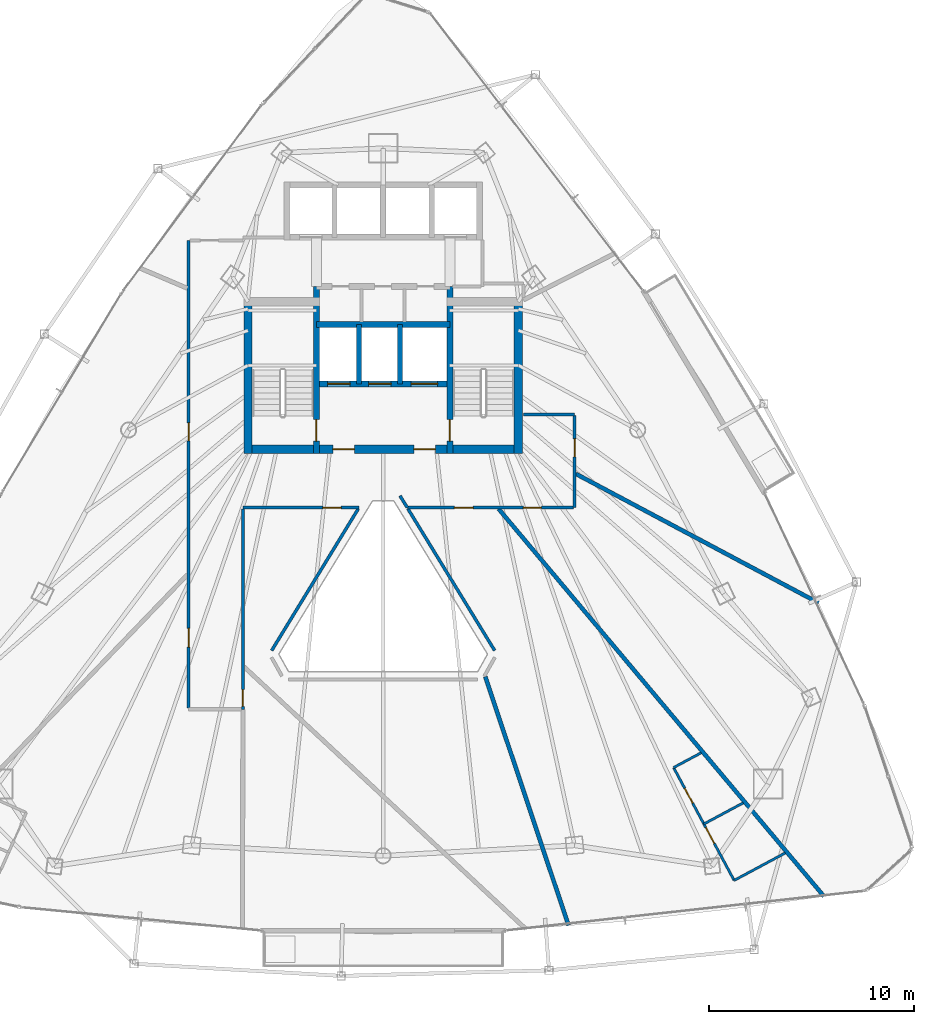
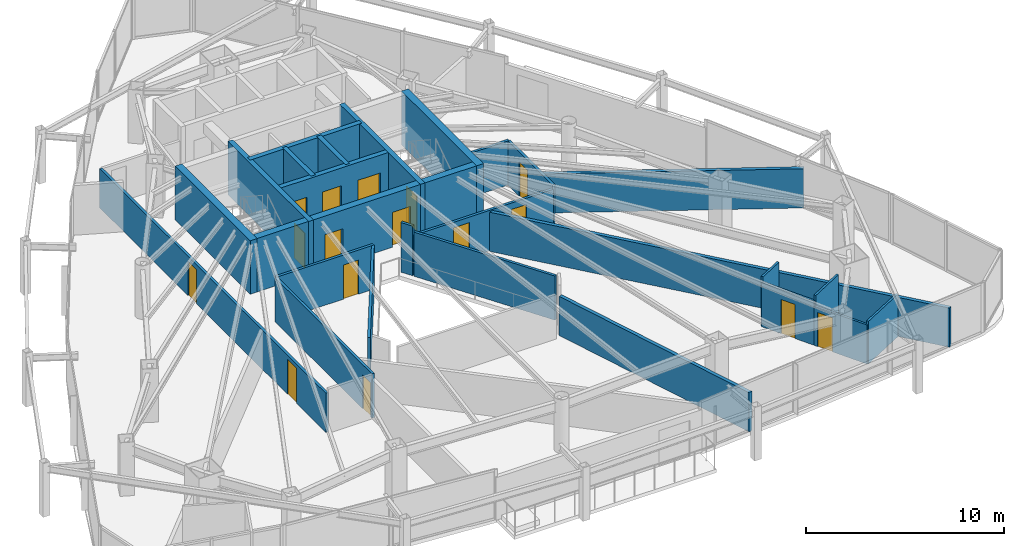
# One storey, part 27 of 31: 26 walls, 16 doors, 16 openings.
"""IFC4 building model written with IfcOpenShell, lengths in metres."""

from ifc_helpers import new_model, si_unit, direction, frame, frame_2d, origin, place, context, subcontext, project, spatial, rectangle, extrude, material, layer, layer_set, type_object, element, fill, save


model = new_model("IFC4")

# Units and contexts
model_context = context("Model", 3, precision=1e-05, world=origin(), true_north=direction((0.0, 1.0)))
body_context = subcontext(model_context, "Body", "Model", "MODEL_VIEW")
ifc_project = project(units=[si_unit("LENGTHUNIT", "METRE"), si_unit("AREAUNIT", "SQUARE_METRE"), si_unit("VOLUMEUNIT", "CUBIC_METRE"), si_unit("PLANEANGLEUNIT", "RADIAN"), si_unit("MASSUNIT", "GRAM", prefix="KILO")], contexts=[model_context])

# Site, building, storey
site_placement = place(None, origin())
site = spatial("IfcSite", under=ifc_project, at=site_placement, CompositionType="ELEMENT")
building_placement = place(site_placement, origin())
building = spatial("IfcBuilding", under=site, at=building_placement, Name="Orvanel Arch Residences", CompositionType="ELEMENT")
storey_placement = place(building_placement, frame((0.0, 0.0, 126.5)))
storey = spatial("IfcBuildingStorey", under=building, at=storey_placement, Name="L35", CompositionType="ELEMENT", Elevation=126.5)

# Walls
ifc_material_1 = material(Name="Concrete N50 (50 MPa)", Category="concrete")
ifc_layer_1 = layer(ifc_material_1, 0.25)
ifc_layer_set_1 = layer_set([ifc_layer_1], Name="Concrete N50 (50 MPa)")
wall_type_1 = type_object("IfcWallType", Name="SW-CORE-250", PredefinedType="SHEAR", material=ifc_layer_set_1)
for number, where, z_axis, x_axis, name in (
    (1, (31.824951171875, 29.889892578125, 0.0), (0.0, 0.0, 1.0), (0.0, 1.0, 0.0), "L35 Emergency Lift Inter-Shaft Wall F12"),
    (2, (33.824951171875, 29.889892578125, 0.0), (0.0, 0.0, 1.0), (0.0, 1.0, 0.0), "L35 Emergency Lift Inter-Shaft Wall F2G"),
):
    element("IfcWall", number, at=place(storey_placement, frame(where, z_axis=z_axis, x_axis=x_axis)), inside=storey, type_object=wall_type_1, Name=name, PredefinedType="SHEAR", context=body_context, shape_type="SweptSolid", body=[
        extrude(rectangle(XDim=2.900146484375, YDim=0.25, at=frame_2d((1.4501953125, 0.0))), origin(), (0.0, 0.0, 1.0), 3.300048828125),
    ])

# Wall, opening, door
ifc_material_2 = material(Name="Concrete S65 (65 MPa)", Category="concrete")
ifc_layer_2 = layer(ifc_material_2, 0.280029296875)
ifc_layer_set_2 = layer_set([ifc_layer_2], Name="Concrete S65 (65 MPa)")
wall_type_2 = type_object("IfcWallType", Name="SW-CORE-280", PredefinedType="SHEAR", material=ifc_layer_set_2)
wall_1_placement = place(storey_placement, frame((29.739990234375, 26.5, 0.0), z_axis=(0.0, 0.0, 1.0), x_axis=(0.0, 1.0, 0.0)))
wall_1 = element("IfcWall", 3, at=wall_1_placement, inside=storey, type_object=wall_type_2, Name="L35 West Inner Core Spine Shear Wall", PredefinedType="SHEAR", context=body_context, shape_type="SweptSolid", body=[
    extrude(rectangle(XDim=8.14990234375, YDim=0.280029296875, at=frame_2d((4.074951171875, 0.0))), origin(), (0.0, 0.0, 1.0), 3.300048828125),
])
opening_1_placement = place(wall_1_placement, frame((0.60009765625, 0.0, 0.0)))
opening_1 = element("IfcOpeningElement", 4, at=opening_1_placement, cuts=wall_1, Name="Opening DF-120", PredefinedType="OPENING", context=body_context, shape_type="SweptSolid", body=[
    extrude(rectangle(XDim=1.050048828125, YDim=2.14990234375, at=frame_2d((0.52490234375, 1.074951171875))), frame((0.0, 0.14990234375, 0.0), z_axis=(0.0, -1.0, 0.0), x_axis=(1.0, 0.0, 0.0)), (0.0, 0.0, 1.0), 0.300048828125),
])
ifc_material_3 = material(Name="Galvanised steel fire-resisting door assembly", Category="steel")
door_type_1 = type_object("IfcDoorType", Name="DR-FD120-1050", OperationType="NOTDEFINED", PredefinedType="DOOR", material=ifc_material_3)
door_1_placement = place(opening_1_placement, origin())
door_1 = element("IfcDoor", 5, at=door_1_placement, inside=storey, type_object=door_type_1, Name="DR-L35-ST1 L35 Stair 1 Fire Door", OperationType="SINGLE_SWING_LEFT", OverallHeight=2.14990234375, OverallWidth=1.050048828125, PredefinedType="DOOR", context=body_context, shape_type="SweptSolid", body=[
    extrude(rectangle(XDim=1.050048828125, YDim=2.14990234375, at=frame_2d((0.52490234375, 1.074951171875))), frame((0.0, 0.02490234375, 0.0), z_axis=(0.0, -1.0, 0.0), x_axis=(1.0, 0.0, 0.0)), (0.0, 0.0, 1.0), 0.050048828125),
])
fill(opening_1, door_1)

wall_2_placement = place(storey_placement, frame((36.260009765625, 26.5, 0.0), z_axis=(0.0, 0.0, 1.0), x_axis=(0.0, 1.0, 0.0)))
wall_2 = element("IfcWall", 6, at=wall_2_placement, inside=storey, type_object=wall_type_2, Name="L35 East Inner Core Spine Shear Wall", PredefinedType="SHEAR", context=body_context, shape_type="SweptSolid", body=[
    extrude(rectangle(XDim=8.14990234375, YDim=0.280029296875, at=frame_2d((4.074951171875, 0.0))), origin(), (0.0, 0.0, 1.0), 3.300048828125),
])
opening_2_placement = place(wall_2_placement, frame((0.60009765625, 0.0, 0.0)))
opening_2 = element("IfcOpeningElement", 7, at=opening_2_placement, cuts=wall_2, Name="Opening DF-120", PredefinedType="OPENING", context=body_context, shape_type="SweptSolid", body=[
    extrude(rectangle(XDim=1.050048828125, YDim=2.14990234375, at=frame_2d((0.52490234375, 1.074951171875))), frame((0.0, 0.14990234375, 0.0), z_axis=(0.0, -1.0, 0.0), x_axis=(1.0, 0.0, 0.0)), (0.0, 0.0, 1.0), 0.300048828125),
])
door_2_placement = place(opening_2_placement, origin())
door_2 = element("IfcDoor", 8, at=door_2_placement, inside=storey, type_object=door_type_1, Name="DR-L35-ST2 L35 Stair 2 Fire Door", OperationType="SINGLE_SWING_RIGHT", OverallHeight=2.14990234375, OverallWidth=1.050048828125, PredefinedType="DOOR", context=body_context, shape_type="SweptSolid", body=[
    extrude(rectangle(XDim=1.050048828125, YDim=2.14990234375, at=frame_2d((0.52490234375, 1.074951171875))), frame((0.0, 0.02490234375, 0.0), z_axis=(0.0, -1.0, 0.0), x_axis=(1.0, 0.0, 0.0)), (0.0, 0.0, 1.0), 0.050048828125),
])
fill(opening_2, door_2)

# Wall, openings, doors
wall_3_placement = place(storey_placement, frame((36.260009765625, 29.889892578125, 0.0), z_axis=(0.0, 0.0, 1.0), x_axis=(-1.0, 0.0, 0.0)))
wall_3 = element("IfcWall", 9, at=wall_3_placement, inside=storey, type_object=wall_type_2, Name="L35 Emergency Lift Front Core Shear Wall", PredefinedType="SHEAR", context=body_context, shape_type="SweptSolid", body=[
    extrude(rectangle(XDim=6.52001953125, YDim=0.280029296875, at=frame_2d((3.260009765625, 0.0))), origin(), (0.0, 0.0, 1.0), 3.300048828125),
])
opening_3_placement = place(wall_3_placement, frame((4.875, 0.0, 0.0)))
opening_3 = element("IfcOpeningElement", 10, at=opening_3_placement, cuts=wall_3, Name="Opening LD-110", PredefinedType="OPENING", context=body_context, shape_type="SweptSolid", body=[
    extrude(rectangle(XDim=1.10009765625, YDim=2.199951171875, at=frame_2d((0.550048828125, 1.10009765625))), frame((0.0, 0.14990234375, 0.0), z_axis=(0.0, -1.0, 0.0), x_axis=(1.0, 0.0, 0.0)), (0.0, 0.0, 1.0), 0.300048828125),
])
opening_4_placement = place(wall_3_placement, frame((2.875, 0.0, 0.0)))
opening_4 = element("IfcOpeningElement", 11, at=opening_4_placement, cuts=wall_3, Name="Opening LD-110", PredefinedType="OPENING", context=body_context, shape_type="SweptSolid", body=[
    extrude(rectangle(XDim=1.10009765625, YDim=2.199951171875, at=frame_2d((0.550048828125, 1.10009765625))), frame((0.0, 0.14990234375, 0.0), z_axis=(0.0, -1.0, 0.0), x_axis=(1.0, 0.0, 0.0)), (0.0, 0.0, 1.0), 0.300048828125),
])
opening_5_placement = place(wall_3_placement, frame((0.60009765625, 0.0, 0.0)))
opening_5 = element("IfcOpeningElement", 12, at=opening_5_placement, cuts=wall_3, Name="Opening LD-130", PredefinedType="OPENING", context=body_context, shape_type="SweptSolid", body=[
    extrude(rectangle(XDim=1.300048828125, YDim=2.199951171875, at=frame_2d((0.64990234375, 1.10009765625))), frame((0.0, 0.14990234375, 0.0), z_axis=(0.0, -1.0, 0.0), x_axis=(1.0, 0.0, 0.0)), (0.0, 0.0, 1.0), 0.300048828125),
])
door_type_2 = type_object("IfcDoorType", Name="DR-LFT-1100", OperationType="NOTDEFINED", PredefinedType="DOOR", material=ifc_material_3)
door_3_placement = place(opening_3_placement, origin())
door_3 = element("IfcDoor", 13, at=door_3_placement, inside=storey, type_object=door_type_2, Name="LD-F1-L35 L35 Lift F1 Sliding Landing Door", OperationType="DOUBLE_DOOR_SLIDING", OverallHeight=2.199951171875, OverallWidth=1.10009765625, PredefinedType="DOOR", context=body_context, shape_type="SweptSolid", body=[
    extrude(rectangle(XDim=1.10009765625, YDim=2.199951171875, at=frame_2d((0.550048828125, 1.10009765625))), frame((0.0, 0.02490234375, 0.0), z_axis=(0.0, -1.0, 0.0), x_axis=(1.0, 0.0, 0.0)), (0.0, 0.0, 1.0), 0.050048828125),
])
fill(opening_3, door_3)
door_4_placement = place(opening_4_placement, origin())
door_4 = element("IfcDoor", 14, at=door_4_placement, inside=storey, type_object=door_type_2, Name="LD-F2-L35 L35 Lift F2 Sliding Landing Door", OperationType="DOUBLE_DOOR_SLIDING", OverallHeight=2.199951171875, OverallWidth=1.10009765625, PredefinedType="DOOR", context=body_context, shape_type="SweptSolid", body=[
    extrude(rectangle(XDim=1.10009765625, YDim=2.199951171875, at=frame_2d((0.550048828125, 1.10009765625))), frame((0.0, 0.02490234375, 0.0), z_axis=(0.0, -1.0, 0.0), x_axis=(1.0, 0.0, 0.0)), (0.0, 0.0, 1.0), 0.050048828125),
])
fill(opening_4, door_4)
door_type_3 = type_object("IfcDoorType", Name="DR-LFT-1300", OperationType="NOTDEFINED", PredefinedType="DOOR", material=ifc_material_3)
door_5_placement = place(opening_5_placement, origin())
door_5 = element("IfcDoor", 15, at=door_5_placement, inside=storey, type_object=door_type_3, Name="LD-G1-L35 L35 Lift G1 Sliding Landing Door", OperationType="DOUBLE_DOOR_SLIDING", OverallHeight=2.199951171875, OverallWidth=1.300048828125, PredefinedType="DOOR", context=body_context, shape_type="SweptSolid", body=[
    extrude(rectangle(XDim=1.300048828125, YDim=2.199951171875, at=frame_2d((0.64990234375, 1.10009765625))), frame((0.0, 0.02490234375, 0.0), z_axis=(0.0, -1.0, 0.0), x_axis=(1.0, 0.0, 0.0)), (0.0, 0.0, 1.0), 0.050048828125),
])
fill(opening_5, door_5)

# Wall
wall_4_placement = place(storey_placement, frame((29.739990234375, 32.7900390625, 0.0), z_axis=(0.0, 0.0, 1.0), x_axis=(1.0, 0.0, 0.0)))
element("IfcWall", 16, at=wall_4_placement, inside=storey, type_object=wall_type_2, Name="L35 Emergency Lift Back Core Shear Wall", PredefinedType="SHEAR", context=body_context, shape_type="SweptSolid", body=[
    extrude(rectangle(XDim=6.52001953125, YDim=0.280029296875, at=frame_2d((3.260009765625, 0.0))), origin(), (0.0, 0.0, 1.0), 3.300048828125),
])

# Wall, openings, doors
ifc_layer_3 = layer(ifc_material_2, 0.39990234375)
ifc_layer_set_3 = layer_set([ifc_layer_3], Name="Concrete S65 (65 MPa)")
wall_type_3 = type_object("IfcWallType", Name="SW-CORE-400", PredefinedType="SHEAR", material=ifc_layer_set_3)
wall_5_placement = place(storey_placement, frame((26.199951171875, 26.699951171875, 0.0), z_axis=(0.0, 0.0, 1.0), x_axis=(1.0, 0.0, 0.0)))
wall_5 = element("IfcWall", 17, at=wall_5_placement, inside=storey, type_object=wall_type_3, Name="L35 South Core Shear Wall", PredefinedType="SHEAR", context=body_context, shape_type="SweptSolid", body=[
    extrude(rectangle(XDim=13.60009765625, YDim=0.39990234375, at=frame_2d((6.800048828125, 0.0))), origin(), (0.0, 0.0, 1.0), 3.300048828125),
])
opening_6_placement = place(wall_5_placement, frame((4.35009765625, 0.0, 0.0)))
opening_6 = element("IfcOpeningElement", 18, at=opening_6_placement, cuts=wall_5, Name="Opening DF-060", PredefinedType="OPENING", context=body_context, shape_type="SweptSolid", body=[
    extrude(rectangle(XDim=1.050048828125, YDim=2.14990234375, at=frame_2d((0.52490234375, 1.074951171875))), frame((0.0, 0.2099609375, 0.0), z_axis=(0.0, -1.0, 0.0), x_axis=(1.0, 0.0, 0.0)), (0.0, 0.0, 1.0), 0.419921875),
])
opening_7_placement = place(wall_5_placement, frame((8.300048828125, 0.0, 0.0)))
opening_7 = element("IfcOpeningElement", 19, at=opening_7_placement, cuts=wall_5, Name="Opening DF-060", PredefinedType="OPENING", context=body_context, shape_type="SweptSolid", body=[
    extrude(rectangle(XDim=1.050048828125, YDim=2.14990234375, at=frame_2d((0.52490234375, 1.074951171875))), frame((0.0, 0.2099609375, 0.0), z_axis=(0.0, -1.0, 0.0), x_axis=(1.0, 0.0, 0.0)), (0.0, 0.0, 1.0), 0.419921875),
])
door_type_4 = type_object("IfcDoorType", Name="DR-FD60-1050", OperationType="NOTDEFINED", PredefinedType="DOOR", material=ifc_material_3)
door_6_placement = place(opening_6_placement, origin())
door_6 = element("IfcDoor", 20, at=door_6_placement, inside=storey, type_object=door_type_4, Name="DR-L35-FFL-W L35 West Smoke Lobby Door", OperationType="SINGLE_SWING_LEFT", OverallHeight=2.14990234375, OverallWidth=1.050048828125, PredefinedType="DOOR", context=body_context, shape_type="SweptSolid", body=[
    extrude(rectangle(XDim=1.050048828125, YDim=2.14990234375, at=frame_2d((0.52490234375, 1.074951171875))), frame((0.0, 0.02490234375, 0.0), z_axis=(0.0, -1.0, 0.0), x_axis=(1.0, 0.0, 0.0)), (0.0, 0.0, 1.0), 0.050048828125),
])
fill(opening_6, door_6)
door_7_placement = place(opening_7_placement, origin())
door_7 = element("IfcDoor", 21, at=door_7_placement, inside=storey, type_object=door_type_4, Name="DR-L35-FFL-E L35 East Smoke Lobby Door", OperationType="SINGLE_SWING_RIGHT", OverallHeight=2.14990234375, OverallWidth=1.050048828125, PredefinedType="DOOR", context=body_context, shape_type="SweptSolid", body=[
    extrude(rectangle(XDim=1.050048828125, YDim=2.14990234375, at=frame_2d((0.52490234375, 1.074951171875))), frame((0.0, 0.02490234375, 0.0), z_axis=(0.0, -1.0, 0.0), x_axis=(1.0, 0.0, 0.0)), (0.0, 0.0, 1.0), 0.050048828125),
])
fill(opening_7, door_7)

# Walls
for number, where, z_axis, x_axis, name in (
    (22, (26.39990234375, 26.5, 0.0), (0.0, 0.0, 1.0), (0.0, 1.0, 0.0), "L35 West Stair Shear Wall"),
    (23, (39.60009765625, 26.5, 0.0), (0.0, 0.0, 1.0), (0.0, 1.0, 0.0), "L35 East Stair Shear Wall"),
):
    element("IfcWall", number, at=place(storey_placement, frame(where, z_axis=z_axis, x_axis=x_axis)), inside=storey, type_object=wall_type_3, Name=name, PredefinedType="SHEAR", context=body_context, shape_type="SweptSolid", body=[
        extrude(rectangle(XDim=7.60009765625, YDim=0.39990234375, at=frame_2d((3.800048828125, 0.0))), origin(), (0.0, 0.0, 1.0), 3.300048828125),
    ])

# Wall, opening, door
ifc_material_4 = material(Name="Fire-rated plasterboard lined steel stud partition", Category="steel")
ifc_layer_4 = layer(ifc_material_4, 0.14990234375)
ifc_layer_set_4 = layer_set([ifc_layer_4], Name="Fire-rated plasterboard lined steel stud partition")
wall_type_4 = type_object("IfcWallType", Name="W-COR-150", PredefinedType="PARTITIONING", material=ifc_layer_set_4)
wall_6_placement = place(storey_placement, frame((31.821044921875, 23.85009765625, 0.0), z_axis=(0.0, 0.0, 1.0), x_axis=(-1.0, 0.0, 0.0)))
wall_6 = element("IfcWall", 24, at=wall_6_placement, inside=storey, type_object=wall_type_4, Name="L35 Corridor Fire-Rated Partition", PredefinedType="PARTITIONING", context=body_context, shape_type="SweptSolid", body=[
    extrude(rectangle(XDim=5.671142578125, YDim=0.14990234375, at=frame_2d((2.83544921875, 0.0))), origin(), (0.0, 0.0, 1.0), 2.720947265625),
])
opening_8_placement = place(wall_6_placement, frame((0.8798828125, 0.0, 0.0)))
opening_8 = element("IfcOpeningElement", 25, at=opening_8_placement, cuts=wall_6, Name="Opening DI-088", PredefinedType="OPENING", context=body_context, shape_type="SweptSolid", body=[
    extrude(rectangle(XDim=0.8798828125, YDim=2.10009765625, at=frame_2d((0.43994140625, 1.050048828125))), frame((0.0, 0.0849609375, 0.0), z_axis=(0.0, -1.0, 0.0), x_axis=(1.0, 0.0, 0.0)), (0.0, 0.0, 1.0), 0.169921875),
])
ifc_material_5 = material(Name="Solid-core European oak veneer fire door leaf", Category="wood")
door_type_5 = type_object("IfcDoorType", Name="DR-INT-880", OperationType="NOTDEFINED", PredefinedType="DOOR", material=ifc_material_5)
door_8_placement = place(opening_8_placement, origin())
door_8 = element("IfcDoor", 26, at=door_8_placement, inside=storey, type_object=door_type_5, Name="DR-L35-SHRD-FB5 L35 Co-Working Study Office E Door", OperationType="SINGLE_SWING_LEFT", OverallHeight=2.10009765625, OverallWidth=0.8798828125, PredefinedType="DOOR", context=body_context, shape_type="SweptSolid", body=[
    extrude(rectangle(XDim=0.8798828125, YDim=2.10009765625, at=frame_2d((0.43994140625, 1.050048828125))), frame((0.0, 0.02490234375, 0.0), z_axis=(0.0, -1.0, 0.0), x_axis=(1.0, 0.0, 0.0)), (0.0, 0.0, 1.0), 0.050048828125),
])
fill(opening_8, door_8)

wall_7_placement = place(storey_placement, frame((26.14990234375, 23.7900390625, 0.0), z_axis=(0.0, 0.0, 1.0), x_axis=(0.0, -1.0, 0.0)))
wall_7 = element("IfcWall", 27, at=wall_7_placement, inside=storey, type_object=wall_type_4, Name="L35 Corridor Fire-Rated Partition", PredefinedType="PARTITIONING", context=body_context, shape_type="SweptSolid", body=[
    extrude(rectangle(XDim=9.7900390625, YDim=0.14990234375, at=frame_2d((4.89501953125, 0.0))), origin(), (0.0, 0.0, 1.0), 2.720947265625),
])
opening_9_placement = place(wall_7_placement, frame((8.830078125, 0.0, 0.0)))
opening_9 = element("IfcOpeningElement", 28, at=opening_9_placement, cuts=wall_7, Name="Opening DW-082", PredefinedType="OPENING", context=body_context, shape_type="SweptSolid", body=[
    extrude(rectangle(XDim=0.820068359375, YDim=2.10009765625, at=frame_2d((0.41015625, 1.050048828125))), frame((0.0, 0.0849609375, 0.0), z_axis=(0.0, -1.0, 0.0), x_axis=(1.0, 0.0, 0.0)), (0.0, 0.0, 1.0), 0.169921875),
])
door_type_6 = type_object("IfcDoorType", Name="DR-WET-820", OperationType="NOTDEFINED", PredefinedType="DOOR", material=ifc_material_5)
door_9_placement = place(opening_9_placement, origin())
door_9 = element("IfcDoor", 29, at=door_9_placement, inside=storey, type_object=door_type_6, Name="DR-L35-SHRD-FB6 L35 Co-Working Study Office F Door", OperationType="SINGLE_SWING_LEFT", OverallHeight=2.10009765625, OverallWidth=0.820068359375, PredefinedType="DOOR", context=body_context, shape_type="SweptSolid", body=[
    extrude(rectangle(XDim=0.820068359375, YDim=2.10009765625, at=frame_2d((0.41015625, 1.050048828125))), frame((0.0, 0.02490234375, 0.0), z_axis=(0.0, -1.0, 0.0), x_axis=(1.0, 0.0, 0.0)), (0.0, 0.0, 1.0), 0.050048828125),
])
fill(opening_9, door_9)

# Wall, openings, doors
wall_8_placement = place(storey_placement, frame((23.5, 14.06005859375, 0.0), z_axis=(0.0, 0.0, 1.0), x_axis=(0.0, 1.0, 0.0)))
wall_8 = element("IfcWall", 30, at=wall_8_placement, inside=storey, type_object=wall_type_4, Name="L35 Corridor Fire-Rated Partition", PredefinedType="PARTITIONING", context=body_context, shape_type="SweptSolid", body=[
    extrude(rectangle(XDim=22.83984375, YDim=0.14990234375, at=frame_2d((11.419921875, 0.0))), origin(), (0.0, 0.0, 1.0), 2.4130859375),
])
opening_10_placement = place(wall_8_placement, frame((13.044921875, 0.0, 0.0)))
opening_10 = element("IfcOpeningElement", 31, at=opening_10_placement, cuts=wall_8, Name="Opening DI-088", PredefinedType="OPENING", context=body_context, shape_type="SweptSolid", body=[
    extrude(rectangle(XDim=0.8798828125, YDim=2.10009765625, at=frame_2d((0.43994140625, 1.050048828125))), frame((0.0, 0.0849609375, 0.0), z_axis=(0.0, -1.0, 0.0), x_axis=(1.0, 0.0, 0.0)), (0.0, 0.0, 1.0), 0.169921875),
])
opening_11_placement = place(wall_8_placement, frame((2.97705078125, 0.0, 0.0)))
opening_11 = element("IfcOpeningElement", 32, at=opening_11_placement, cuts=wall_8, Name="Opening DA-092", PredefinedType="OPENING", context=body_context, shape_type="SweptSolid", body=[
    extrude(rectangle(XDim=0.919921875, YDim=2.14990234375, at=frame_2d((0.4599609375, 1.074951171875))), frame((0.0, 0.0849609375, 0.0), z_axis=(0.0, -1.0, 0.0), x_axis=(1.0, 0.0, 0.0)), (0.0, 0.0, 1.0), 0.169921875),
])
door_type_7 = type_object("IfcDoorType", Name="DR-APT-920", OperationType="NOTDEFINED", PredefinedType="DOOR", material=ifc_material_5)
door_10_placement = place(opening_11_placement, origin())
door_10 = element("IfcDoor", 33, at=door_10_placement, inside=storey, type_object=door_type_7, Name="DR-L35-B-ENT L35 Studio B Entrance Door", OperationType="SINGLE_SWING_LEFT", OverallHeight=2.14990234375, OverallWidth=0.919921875, PredefinedType="DOOR", context=body_context, shape_type="SweptSolid", body=[
    extrude(rectangle(XDim=0.919921875, YDim=2.14990234375, at=frame_2d((0.4599609375, 1.074951171875))), frame((0.0, 0.02490234375, 0.0), z_axis=(0.0, -1.0, 0.0), x_axis=(1.0, 0.0, 0.0)), (0.0, 0.0, 1.0), 0.050048828125),
])
fill(opening_11, door_10)
door_11_placement = place(opening_10_placement, origin())
door_11 = element("IfcDoor", 34, at=door_11_placement, inside=storey, type_object=door_type_5, Name="DR-L35-RET35-1 L35 Boutique Showroom 1 Door", OperationType="SINGLE_SWING_LEFT", OverallHeight=2.10009765625, OverallWidth=0.8798828125, PredefinedType="DOOR", context=body_context, shape_type="SweptSolid", body=[
    extrude(rectangle(XDim=0.8798828125, YDim=2.10009765625, at=frame_2d((0.43994140625, 1.050048828125))), frame((0.0, 0.02490234375, 0.0), z_axis=(0.0, -1.0, 0.0), x_axis=(1.0, 0.0, 0.0)), (0.0, 0.0, 1.0), 0.050048828125),
])
fill(opening_10, door_11)

# Wall
wall_9_placement = place(storey_placement, frame((39.85009765625, 28.39990234375, 0.0), z_axis=(0.0, 0.0, 1.0), x_axis=(1.0, 0.0, 0.0)))
element("IfcWall", 35, at=wall_9_placement, inside=storey, type_object=wall_type_4, Name="L35 Corridor Fire-Rated Partition", PredefinedType="PARTITIONING", context=body_context, shape_type="SweptSolid", body=[
    extrude(rectangle(XDim=2.5, YDim=0.14990234375, at=frame_2d((1.25, 0.0))), origin(), (0.0, 0.0, 1.0), 2.720947265625),
])

# Wall, opening, door
wall_10_placement = place(storey_placement, frame((42.35009765625, 28.340087890625, 0.0), z_axis=(0.0, 0.0, 1.0), x_axis=(0.0, -1.0, 0.0)))
wall_10 = element("IfcWall", 36, at=wall_10_placement, inside=storey, type_object=wall_type_4, Name="L35 Corridor Fire-Rated Partition", PredefinedType="PARTITIONING", context=body_context, shape_type="SweptSolid", body=[
    extrude(rectangle(XDim=4.489990234375, YDim=0.14990234375, at=frame_2d((2.2451171875, 0.0))), origin(), (0.0, 0.0, 1.0), 2.720947265625),
])
opening_12_placement = place(wall_10_placement, frame((1.1298828125, 0.0, 0.0)))
opening_12 = element("IfcOpeningElement", 37, at=opening_12_placement, cuts=wall_10, Name="Opening DI-088", PredefinedType="OPENING", context=body_context, shape_type="SweptSolid", body=[
    extrude(rectangle(XDim=0.8798828125, YDim=2.10009765625, at=frame_2d((0.43994140625, 1.050048828125))), frame((0.0, 0.0849609375, 0.0), z_axis=(0.0, -1.0, 0.0), x_axis=(1.0, 0.0, 0.0)), (0.0, 0.0, 1.0), 0.169921875),
])
door_12_placement = place(opening_12_placement, origin())
door_12 = element("IfcDoor", 38, at=door_12_placement, inside=storey, type_object=door_type_5, Name="DR-L35-SHRD-FB4 L35 Co-Working Study Office D Door", OperationType="SINGLE_SWING_LEFT", OverallHeight=2.10009765625, OverallWidth=0.8798828125, PredefinedType="DOOR", context=body_context, shape_type="SweptSolid", body=[
    extrude(rectangle(XDim=0.8798828125, YDim=2.10009765625, at=frame_2d((0.43994140625, 1.050048828125))), frame((0.0, 0.02490234375, 0.0), z_axis=(0.0, -1.0, 0.0), x_axis=(1.0, 0.0, 0.0)), (0.0, 0.0, 1.0), 0.050048828125),
])
fill(opening_12, door_12)

# Wall, openings, doors
wall_11_placement = place(storey_placement, frame((42.2900390625, 23.85009765625, 0.0), z_axis=(0.0, 0.0, 1.0), x_axis=(-1.0, 0.0, 0.0)))
wall_11 = element("IfcWall", 39, at=wall_11_placement, inside=storey, type_object=wall_type_4, Name="L35 Corridor Fire-Rated Partition", PredefinedType="PARTITIONING", context=body_context, shape_type="SweptSolid", body=[
    extrude(rectangle(XDim=8.111083984375, YDim=0.14990234375, at=frame_2d((4.0556640625, 0.0))), origin(), (0.0, 0.0, 1.0), 2.491943359375),
])
opening_13_placement = place(wall_11_placement, frame((1.56298828125, 0.0, 0.0)))
opening_13 = element("IfcOpeningElement", 40, at=opening_13_placement, cuts=wall_11, Name="Opening DI-088", PredefinedType="OPENING", context=body_context, shape_type="SweptSolid", body=[
    extrude(rectangle(XDim=0.8798828125, YDim=2.10009765625, at=frame_2d((0.43994140625, 1.050048828125))), frame((0.0, 0.0849609375, 0.0), z_axis=(0.0, -1.0, 0.0), x_axis=(1.0, 0.0, 0.0)), (0.0, 0.0, 1.0), 0.169921875),
])
opening_14_placement = place(wall_11_placement, frame((4.89208984375, 0.0, 0.0)))
opening_14 = element("IfcOpeningElement", 41, at=opening_14_placement, cuts=wall_11, Name="Opening DA-092", PredefinedType="OPENING", context=body_context, shape_type="SweptSolid", body=[
    extrude(rectangle(XDim=0.919921875, YDim=2.14990234375, at=frame_2d((0.4599609375, 1.074951171875))), frame((0.0, 0.0849609375, 0.0), z_axis=(0.0, -1.0, 0.0), x_axis=(1.0, 0.0, 0.0)), (0.0, 0.0, 1.0), 0.169921875),
])
door_13_placement = place(opening_14_placement, origin())
door_13 = element("IfcDoor", 42, at=door_13_placement, inside=storey, type_object=door_type_7, Name="DR-L35-A-ENT L35 Studio A Entrance Door", OperationType="SINGLE_SWING_RIGHT", OverallHeight=2.14990234375, OverallWidth=0.919921875, PredefinedType="DOOR", context=body_context, shape_type="SweptSolid", body=[
    extrude(rectangle(XDim=0.919921875, YDim=2.14990234375, at=frame_2d((0.4599609375, 1.074951171875))), frame((0.0, 0.02490234375, 0.0), z_axis=(0.0, -1.0, 0.0), x_axis=(1.0, 0.0, 0.0)), (0.0, 0.0, 1.0), 0.050048828125),
])
fill(opening_14, door_13)
door_14_placement = place(opening_13_placement, origin())
door_14 = element("IfcDoor", 43, at=door_14_placement, inside=storey, type_object=door_type_5, Name="DR-L35-RET35-2 L35 Boutique Showroom 2 Door", OperationType="SINGLE_SWING_LEFT", OverallHeight=2.10009765625, OverallWidth=0.8798828125, PredefinedType="DOOR", context=body_context, shape_type="SweptSolid", body=[
    extrude(rectangle(XDim=0.8798828125, YDim=2.10009765625, at=frame_2d((0.43994140625, 1.050048828125))), frame((0.0, 0.02490234375, 0.0), z_axis=(0.0, -1.0, 0.0), x_axis=(1.0, 0.0, 0.0)), (0.0, 0.0, 1.0), 0.050048828125),
])
fill(opening_13, door_14)

# Walls
wall_12_placement = place(storey_placement, frame((34.178955078125, 23.85009765625, 0.0), z_axis=(0.0, 0.0, 1.0), x_axis=(-0.527828834635, 0.849350764601, 0.0)))
element("IfcWall", 44, at=wall_12_placement, inside=storey, type_object=wall_type_4, Name="L35 Corridor Fire-Rated Partition", PredefinedType="PARTITIONING", context=body_context, shape_type="SweptSolid", body=[
    extrude(rectangle(XDim=0.677978515625, YDim=0.14990234375, at=frame_2d((0.3388671875, 0.0))), origin(), (0.0, 0.0, 1.0), 3.06005859375),
])
wall_13_placement = place(storey_placement, frame((34.2099609375, 23.7900390625, 0.0), z_axis=(0.0, 0.0, 1.0), x_axis=(0.521925672495, -0.852990968528, 0.0)))
element("IfcWall", 45, at=wall_13_placement, inside=storey, type_object=wall_type_4, Name="L35 Atrium Overlook Glazed Partition", PredefinedType="PARTITIONING", context=body_context, shape_type="SweptSolid", body=[
    extrude(rectangle(XDim=8.1162109375, YDim=0.14990234375, at=frame_2d((4.05810546875, 0.0))), origin(), (0.0, 0.0, 1.0), 2.720947265625),
])
wall_14_placement = place(storey_placement, frame((27.553955078125, 16.866943359375, 0.0), z_axis=(0.0, 0.0, 1.0), x_axis=(0.521378191963, 0.853325717968, 0.0)))
element("IfcWall", 46, at=wall_14_placement, inside=storey, type_object=wall_type_4, Name="L35 Atrium Overlook Glazed Partition", PredefinedType="PARTITIONING", context=body_context, shape_type="SweptSolid", body=[
    extrude(rectangle(XDim=8.113037109375, YDim=0.14990234375, at=frame_2d((4.056640625, 0.0))), origin(), (0.0, 0.0, 1.0), 2.720947265625),
])
ifc_layer_5 = layer(ifc_material_4, 0.199951171875)
ifc_layer_set_5 = layer_set([ifc_layer_5], Name="Fire-rated plasterboard lined steel stud partition")
wall_type_5 = type_object("IfcWallType", Name="W-DEM-200", PredefinedType="PARTITIONING", material=ifc_layer_set_5)
wall_15_placement = place(storey_placement, frame((54.52587890625, 4.866943359375, 0.0), z_axis=(0.0, 0.0, 1.0), x_axis=(-0.643084567011, 0.765795168222, 0.0)))
element("IfcWall", 47, at=wall_15_placement, inside=storey, type_object=wall_type_5, Name="L35 Inter-Tenancy Acoustic Demising Wall", PredefinedType="PARTITIONING", context=body_context, shape_type="SweptSolid", body=[
    extrude(rectangle(XDim=24.71044921875, YDim=0.199951171875, at=frame_2d((12.355224609375, 0.0))), origin(), (0.0, 0.0, 1.0), 2.4130859375),
])
wall_16_placement = place(storey_placement, frame((42.409912109375, 25.4970703125, 0.0), z_axis=(0.0, 0.0, 1.0), x_axis=(0.882944726502, -0.46947695358, 0.0)))
element("IfcWall", 48, at=wall_16_placement, inside=storey, type_object=wall_type_5, Name="L35 Inter-Tenancy Acoustic Demising Wall", PredefinedType="PARTITIONING", context=body_context, shape_type="SweptSolid", body=[
    extrude(rectangle(XDim=13.425537109375, YDim=0.199951171875, at=frame_2d((6.712890625, 0.0))), origin(), (0.0, 0.0, 1.0), 2.4130859375),
])
wall_17_placement = place(storey_placement, frame((42.052978515625, 3.444091796875, 0.0), z_axis=(0.0, 0.0, 1.0), x_axis=(-0.317325063931, 0.948316826699, 0.0)))
element("IfcWall", 49, at=wall_17_placement, inside=storey, type_object=wall_type_5, Name="L35 Inter-Tenancy Acoustic Demising Wall", PredefinedType="PARTITIONING", context=body_context, shape_type="SweptSolid", body=[
    extrude(rectangle(XDim=12.81298828125, YDim=0.199951171875, at=frame_2d((6.406494140625, 0.0))), origin(), (0.0, 0.0, 1.0), 2.4130859375),
])
ifc_material_6 = material(Name="Acoustic plasterboard lined twin-stud partition", Category="gypsum")
ifc_layer_6 = layer(ifc_material_6, 0.1201171875)
ifc_layer_set_6 = layer_set([ifc_layer_6], Name="Acoustic plasterboard lined twin-stud partition")
wall_type_6 = type_object("IfcWallType", Name="W-WET-120", PredefinedType="PARTITIONING", material=ifc_layer_set_6)
wall_18_placement = place(storey_placement, frame((48.530029296875, 11.875, 0.0), z_axis=(0.0, 0.0, 1.0), x_axis=(-0.881239847135, -0.472669368398, 0.0)))
element("IfcWall", 50, at=wall_18_placement, inside=storey, type_object=wall_type_6, Name="L35 Studio A Bathroom Partition", PredefinedType="PARTITIONING", context=body_context, shape_type="SweptSolid", body=[
    extrude(rectangle(XDim=1.52734375, YDim=0.1201171875, at=frame_2d((0.763671875, 0.0))), origin(), (0.0, 0.0, 1.0), 3.06005859375),
])

# Wall, opening, door
wall_19_placement = place(storey_placement, frame((47.18408203125, 11.153076171875, 0.0), z_axis=(0.0, 0.0, 1.0), x_axis=(0.472734891499, -0.881204699465, 0.0)))
wall_19 = element("IfcWall", 51, at=wall_19_placement, inside=storey, type_object=wall_type_6, Name="L35 Studio A Bathroom Partition", PredefinedType="PARTITIONING", context=body_context, shape_type="SweptSolid", body=[
    extrude(rectangle(XDim=3.12646484375, YDim=0.1201171875, at=frame_2d((1.563232421875, 0.0))), origin(), (0.0, 0.0, 1.0), 2.720947265625),
])
opening_15_placement = place(wall_19_placement, frame((1.153076171875, 0.0, 0.0)))
opening_15 = element("IfcOpeningElement", 52, at=opening_15_placement, cuts=wall_19, Name="Opening DW-082", PredefinedType="OPENING", context=body_context, shape_type="SweptSolid", body=[
    extrude(rectangle(XDim=0.820068359375, YDim=2.10009765625, at=frame_2d((0.41015625, 1.050048828125))), frame((0.0, 0.070068359375, 0.0), z_axis=(0.0, -1.0, 0.0), x_axis=(1.0, 0.0, 0.0)), (0.0, 0.0, 1.0), 0.14013671875),
])
door_15_placement = place(opening_15_placement, origin())
door_15 = element("IfcDoor", 53, at=door_15_placement, inside=storey, type_object=door_type_6, Name="DR-L35-A-BATH L35 Studio A Bathroom Door", OperationType="SINGLE_SWING_RIGHT", OverallHeight=2.10009765625, OverallWidth=0.820068359375, PredefinedType="DOOR", context=body_context, shape_type="SweptSolid", body=[
    extrude(rectangle(XDim=0.820068359375, YDim=2.10009765625, at=frame_2d((0.41015625, 1.050048828125))), frame((0.0, 0.02490234375, 0.0), z_axis=(0.0, -1.0, 0.0), x_axis=(1.0, 0.0, 0.0)), (0.0, 0.0, 1.0), 0.050048828125),
])
fill(opening_15, door_15)

wall_20_placement = place(storey_placement, frame((48.662109375, 8.39794921875, 0.0), z_axis=(0.0, 0.0, 1.0), x_axis=(0.472706781447, -0.881219778928, 0.0)))
wall_20 = element("IfcWall", 54, at=wall_20_placement, inside=storey, type_object=wall_type_6, Name="L35 Studio A Internal Partition", PredefinedType="PARTITIONING", context=body_context, shape_type="SweptSolid", body=[
    extrude(rectangle(XDim=3.126220703125, YDim=0.1201171875, at=frame_2d((1.56298828125, 0.0))), origin(), (0.0, 0.0, 1.0), 2.4130859375),
])
opening_16_placement = place(wall_20_placement, frame((0.199951171875, 0.0, 0.0)))
opening_16 = element("IfcOpeningElement", 55, at=opening_16_placement, cuts=wall_20, Name="Opening DI-088", PredefinedType="OPENING", context=body_context, shape_type="SweptSolid", body=[
    extrude(rectangle(XDim=0.8798828125, YDim=2.10009765625, at=frame_2d((0.43994140625, 1.050048828125))), frame((0.0, 0.070068359375, 0.0), z_axis=(0.0, -1.0, 0.0), x_axis=(1.0, 0.0, 0.0)), (0.0, 0.0, 1.0), 0.14013671875),
])
door_16_placement = place(opening_16_placement, origin())
door_16 = element("IfcDoor", 56, at=door_16_placement, inside=storey, type_object=door_type_5, Name="DR-L35-A-KIT L35 Studio A Kitchenette Door", OperationType="SINGLE_SWING_LEFT", OverallHeight=2.10009765625, OverallWidth=0.8798828125, PredefinedType="DOOR", context=body_context, shape_type="SweptSolid", body=[
    extrude(rectangle(XDim=0.8798828125, YDim=2.10009765625, at=frame_2d((0.43994140625, 1.050048828125))), frame((0.0, 0.02490234375, 0.0), z_axis=(0.0, -1.0, 0.0), x_axis=(1.0, 0.0, 0.0)), (0.0, 0.0, 1.0), 0.050048828125),
])
fill(opening_16, door_16)

# Walls
wall_21_placement = place(storey_placement, frame((50.139892578125, 5.64306640625, 0.0), z_axis=(0.0, 0.0, 1.0), x_axis=(0.881244272045, 0.472661118548, 0.0)))
element("IfcWall", 57, at=wall_21_placement, inside=storey, type_object=wall_type_6, Name="L35 Studio A Internal Partition", PredefinedType="PARTITIONING", context=body_context, shape_type="SweptSolid", body=[
    extrude(rectangle(XDim=2.834716796875, YDim=0.1201171875, at=frame_2d((1.41748046875, 0.0))), origin(), (0.0, 0.0, 1.0), 2.618896484375),
])
wall_22_placement = place(storey_placement, frame((50.583984375, 9.428955078125, 0.0), z_axis=(0.0, 0.0, 1.0), x_axis=(-0.88120690194, -0.472730785937, 0.0)))
element("IfcWall", 58, at=wall_22_placement, inside=storey, type_object=wall_type_6, Name="L35 Studio A Bathroom Partition", PredefinedType="PARTITIONING", context=body_context, shape_type="SweptSolid", body=[
    extrude(rectangle(XDim=2.180908203125, YDim=0.1201171875, at=frame_2d((1.09033203125, 0.0))), origin(), (0.0, 0.0, 1.0), 3.06005859375),
])

save(model, "model.ifc")
